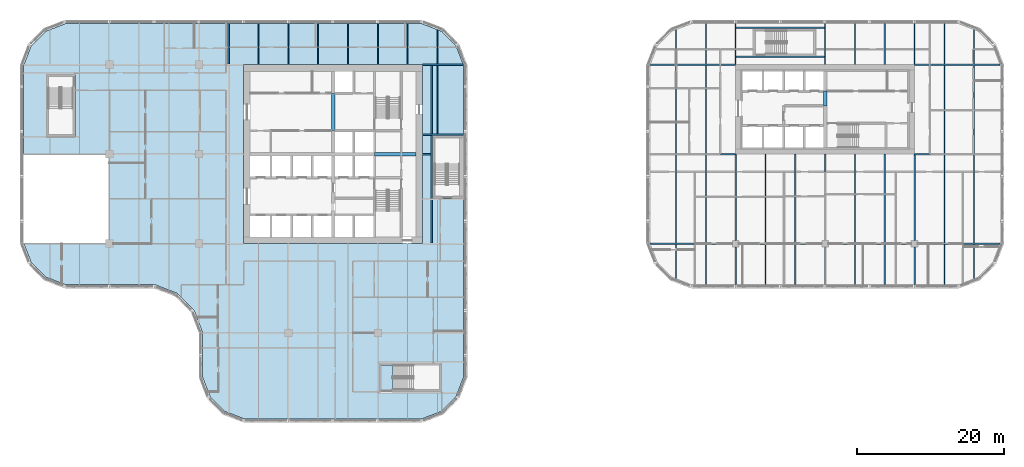
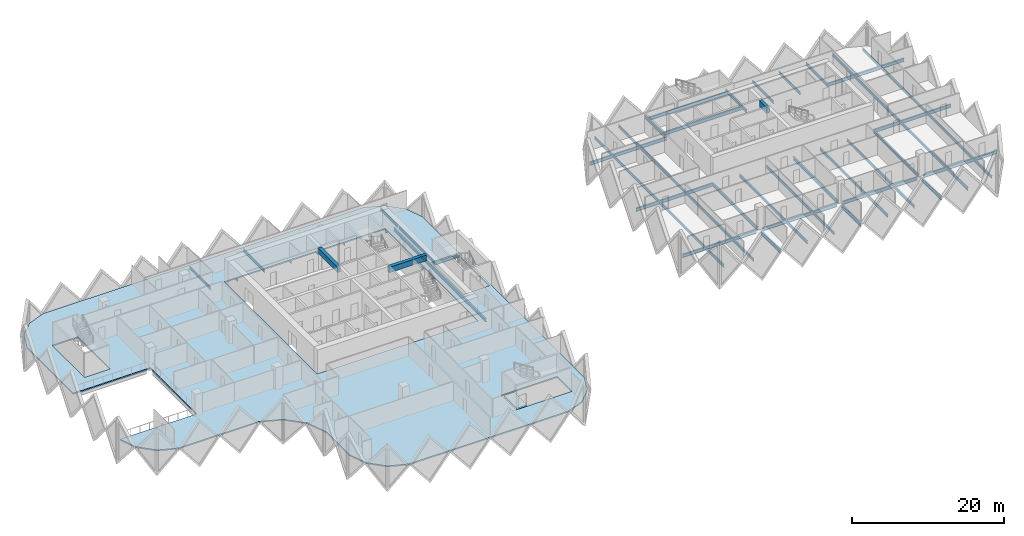
# One storey, part 2 of 19: 61 beams, 2 slabs.
"""IFC4 building model written with IfcOpenShell, lengths in metres."""

from ifc_helpers import new_model, si_unit, direction, frame, origin, origin_2d, place, context, subcontext, project, spatial, polyline, rectangle, i_section, outline, extrude, material, layer, layer_set, material_profile, profile_set, type_object, element, save


model = new_model("IFC4")

# Units and contexts
model_context = context("Model", 3, precision=1e-05, world=origin(), true_north=direction((0.0, 1.0)))
body_context = subcontext(model_context, "Body", "Model", "MODEL_VIEW")
ifc_project = project(units=[si_unit("LENGTHUNIT", "METRE"), si_unit("AREAUNIT", "SQUARE_METRE"), si_unit("VOLUMEUNIT", "CUBIC_METRE"), si_unit("PLANEANGLEUNIT", "RADIAN"), si_unit("MASSUNIT", "GRAM", prefix="KILO")], contexts=[model_context])

# Site, building, storey
site_placement = place(None, origin())
site = spatial("IfcSite", under=ifc_project, at=site_placement, CompositionType="ELEMENT")
building_placement = place(site_placement, origin())
building = spatial("IfcBuilding", under=site, at=building_placement, Name="Tessera Gate Towers", CompositionType="ELEMENT")
storey_placement = place(building_placement, frame((0.0, 0.0, 29.60009765625)))
storey = spatial("IfcBuildingStorey", under=building, at=storey_placement, Name="L06", CompositionType="ELEMENT", Elevation=29.60009765625)

# Beams
ifc_material_1 = material(Name="Concrete C60/75", Category="concrete")
ifc_material_profile_1 = material_profile(ifc_material_1, rectangle(XDim=0.5, YDim=0.89990234375, at=origin_2d()), Name="RC 500x900")
ifc_profile_set_1 = profile_set([ifc_material_profile_1], Name="Concrete C60/75")
beam_type_1 = type_object("IfcBeamType", Name="COUPLING BEAM 500x900 C60/75", PredefinedType="BEAM", material=ifc_profile_set_1)
beam_1_placement = place(storey_placement, frame((109.800048828125, 43.199951171875, 3.14990234375), z_axis=(0.0, 1.0, 0.0), x_axis=(-1.0, 0.0, 0.0)))
element("IfcBeam", 1, at=beam_1_placement, inside=storey, type_object=beam_type_1, Name="L06 coupling beam 1", PredefinedType="BEAM", context=body_context, shape_type="SweptSolid", body=[
    extrude(rectangle(XDim=0.5, YDim=0.89990234375, at=origin_2d()), origin(), (0.0, 0.0, 1.0), 2.0),
])
ifc_material_2 = material(Name="Concrete C70/85", Category="concrete")
ifc_material_profile_2 = material_profile(ifc_material_2, rectangle(XDim=0.5, YDim=0.89990234375, at=origin_2d()), Name="RC 500x900")
ifc_profile_set_2 = profile_set([ifc_material_profile_2], Name="Concrete C70/85")
beam_type_2 = type_object("IfcBeamType", Name="COUPLING BEAM 500x900 C70/85", PredefinedType="BEAM", material=ifc_profile_set_2)
beam_2_placement = place(storey_placement, frame((48.35009765625, 36.60009765625, 3.14990234375), z_axis=(1.0, 0.0, 0.0), x_axis=(0.0, 1.0, 0.0)))
element("IfcBeam", 2, at=beam_2_placement, inside=storey, type_object=beam_type_2, Name="L06 coupling beam 1", PredefinedType="BEAM", context=body_context, shape_type="SweptSolid", body=[
    extrude(rectangle(XDim=0.5, YDim=0.89990234375, at=origin_2d()), origin(), (0.0, 0.0, 1.0), 5.64990234375),
])
beam_3_placement = place(storey_placement, frame((42.699951171875, 39.800048828125, 3.14990234375), z_axis=(0.0, 1.0, 0.0), x_axis=(-1.0, 0.0, 0.0)))
element("IfcBeam", 3, at=beam_3_placement, inside=storey, type_object=beam_type_2, Name="L06 coupling beam 2", PredefinedType="BEAM", context=body_context, shape_type="SweptSolid", body=[
    extrude(rectangle(XDim=0.5, YDim=0.89990234375, at=origin_2d()), origin(), (0.0, 0.0, 1.0), 5.099853515625),
])
ifc_material_3 = material(Name="Steel 350W", Category="steel")
ifc_material_profile_3 = material_profile(ifc_material_3, i_section(OverallWidth=0.208984375, OverallDepth=0.532958984375, WebThickness=0.01025390625, FlangeThickness=0.015625, at=origin_2d()), Name="W530x92")
ifc_profile_set_3 = profile_set([ifc_material_profile_3], Name="Steel 350W")
beam_type_3 = type_object("IfcBeamType", Name="FLOOR GIRDER W530x92", PredefinedType="BEAM", material=ifc_profile_set_3)
beam_4_placement = place(storey_placement, frame((54.89892578125, 36.60009765625, -0.466552734375), z_axis=(1.0, 0.0, 0.0), x_axis=(0.0, 1.0, 0.0)))
element("IfcBeam", 4, at=beam_4_placement, inside=storey, type_object=beam_type_3, Name="T1-GD-L06-1048", PredefinedType="BEAM", context=body_context, shape_type="SweptSolid", body=[
    extrude(i_section(OverallWidth=0.208984375, OverallDepth=0.532958984375, WebThickness=0.01025390625, FlangeThickness=0.015625, at=origin_2d()), origin(), (0.0, 0.0, 1.0), 1.176513671875),
])
beam_5_placement = place(storey_placement, frame((54.90087890625, 48.800048828125, -0.466552734375), z_axis=(1.0, 0.0, 0.0), x_axis=(0.0, 1.0, 0.0)))
element("IfcBeam", 5, at=beam_5_placement, inside=storey, type_object=beam_type_3, Name="T1-GD-L06-1052", PredefinedType="BEAM", context=body_context, shape_type="SweptSolid", body=[
    extrude(i_section(OverallWidth=0.208984375, OverallDepth=0.532958984375, WebThickness=0.01025390625, FlangeThickness=0.015625, at=origin_2d()), origin(), (0.0, 0.0, 1.0), 5.564208984375),
])
beam_6_placement = place(storey_placement, frame((54.89892578125, 39.219970703125, -0.466552734375), z_axis=(1.0, 0.0, 0.0), x_axis=(0.0, 1.0, 0.0)))
element("IfcBeam", 6, at=beam_6_placement, inside=storey, type_object=beam_type_3, Name="T1-GD-L06-1070", PredefinedType="BEAM", context=body_context, shape_type="SweptSolid", body=[
    extrude(i_section(OverallWidth=0.208984375, OverallDepth=0.532958984375, WebThickness=0.01025390625, FlangeThickness=0.015625, at=origin_2d()), origin(), (0.0, 0.0, 1.0), 5.60205078125),
])
beam_7_placement = place(storey_placement, frame((56.179931640625, 24.50439453125, -0.466552734375), z_axis=(0.0, 1.0, 0.0), x_axis=(-1.0, 0.0, 0.0)))
element("IfcBeam", 7, at=beam_7_placement, inside=storey, type_object=beam_type_3, Name="T1-GD-L06-1071", PredefinedType="BEAM", context=body_context, shape_type="SweptSolid", body=[
    extrude(i_section(OverallWidth=0.208984375, OverallDepth=0.532958984375, WebThickness=0.01025390625, FlangeThickness=0.015625, at=origin_2d()), origin(), (0.0, 0.0, 1.0), 24.191162109375),
])
beam_8_placement = place(storey_placement, frame((85.934814453125, 24.39990234375, -0.466552734375), z_axis=(1.0, 0.0, 0.0), x_axis=(0.0, 1.0, 0.0)))
element("IfcBeam", 8, at=beam_8_placement, inside=storey, type_object=beam_type_3, Name="T2-GD-L06-1112", PredefinedType="BEAM", context=body_context, shape_type="SweptSolid", body=[
    extrude(i_section(OverallWidth=0.208984375, OverallDepth=0.532958984375, WebThickness=0.01025390625, FlangeThickness=0.015625, at=origin_2d()), origin(), (0.0, 0.0, 1.0), 11.215087890625),
])
for number, where, z_axis, x_axis, name in (
    (9, (98.050048828125, 24.39990234375, -0.466552734375), (1.0, 0.0, 0.0), (0.0, 1.0, 0.0), "T2-GD-L06-1113"),
    (10, (110.25, 24.39990234375, -0.466552734375), (1.0, 0.0, 0.0), (0.0, 1.0, 0.0), "T2-GD-L06-1114"),
):
    element("IfcBeam", number, at=place(storey_placement, frame(where, z_axis=z_axis, x_axis=x_axis)), inside=storey, type_object=beam_type_3, Name=name, PredefinedType="BEAM", context=body_context, shape_type="SweptSolid", body=[
        extrude(i_section(OverallWidth=0.208984375, OverallDepth=0.532958984375, WebThickness=0.01025390625, FlangeThickness=0.015625, at=origin_2d()), origin(), (0.0, 0.0, 1.0), 11.300048828125),
    ])
beam_9_placement = place(storey_placement, frame((122.449951171875, 24.39990234375, -0.466552734375), z_axis=(1.0, 0.0, 0.0), x_axis=(0.0, 1.0, 0.0)))
element("IfcBeam", 11, at=beam_9_placement, inside=storey, type_object=beam_type_3, Name="T2-GD-L06-1115", PredefinedType="BEAM", context=body_context, shape_type="SweptSolid", body=[
    extrude(i_section(OverallWidth=0.208984375, OverallDepth=0.532958984375, WebThickness=0.01025390625, FlangeThickness=0.015625, at=origin_2d()), origin(), (0.0, 0.0, 1.0), 11.21533203125),
])
beam_10_placement = place(storey_placement, frame((85.89892578125, 36.60009765625, -0.466552734375), z_axis=(1.0, 0.0, 0.0), x_axis=(0.0, 1.0, 0.0)))
element("IfcBeam", 12, at=beam_10_placement, inside=storey, type_object=beam_type_3, Name="T2-GD-L06-1116", PredefinedType="BEAM", context=body_context, shape_type="SweptSolid", body=[
    extrude(i_section(OverallWidth=0.208984375, OverallDepth=0.532958984375, WebThickness=0.01025390625, FlangeThickness=0.015625, at=origin_2d()), origin(), (0.0, 0.0, 1.0), 11.7001953125),
])
beam_11_placement = place(storey_placement, frame((122.0009765625, 36.60009765625, -0.466552734375), z_axis=(1.0, 0.0, 0.0), x_axis=(0.0, 1.0, 0.0)))
element("IfcBeam", 13, at=beam_11_placement, inside=storey, type_object=beam_type_3, Name="T2-GD-L06-1117", PredefinedType="BEAM", context=body_context, shape_type="SweptSolid", body=[
    extrude(i_section(OverallWidth=0.208984375, OverallDepth=0.532958984375, WebThickness=0.01025390625, FlangeThickness=0.015625, at=origin_2d()), origin(), (0.0, 0.0, 1.0), 11.699951171875),
])
for number, where, z_axis, x_axis, name in (
    (14, (85.934814453125, 48.800048828125, -0.466552734375), (1.0, 0.0, 0.0), (0.0, 1.0, 0.0), "T2-GD-L06-1118"),
    (15, (122.0009765625, 48.800048828125, -0.466552734375), (1.0, 0.0, 0.0), (0.0, 1.0, 0.0), "T2-GD-L06-1119"),
):
    element("IfcBeam", number, at=place(storey_placement, frame(where, z_axis=z_axis, x_axis=x_axis)), inside=storey, type_object=beam_type_3, Name=name, PredefinedType="BEAM", context=body_context, shape_type="SweptSolid", body=[
        extrude(i_section(OverallWidth=0.208984375, OverallDepth=0.532958984375, WebThickness=0.01025390625, FlangeThickness=0.015625, at=origin_2d()), origin(), (0.0, 0.0, 1.0), 11.664306640625),
    ])
beam_12_placement = place(storey_placement, frame((97.60009765625, 18.799072265625, -0.466552734375), z_axis=(0.0, 1.0, 0.0), x_axis=(-1.0, 0.0, 0.0)))
element("IfcBeam", 16, at=beam_12_placement, inside=storey, type_object=beam_type_3, Name="T2-GD-L06-1120", PredefinedType="BEAM", context=body_context, shape_type="SweptSolid", body=[
    extrude(i_section(OverallWidth=0.208984375, OverallDepth=0.532958984375, WebThickness=0.01025390625, FlangeThickness=0.015625, at=origin_2d()), origin(), (0.0, 0.0, 1.0), 5.15087890625),
])
beam_13_placement = place(storey_placement, frame((97.60009765625, 24.85009765625, -0.466552734375), z_axis=(0.0, 1.0, 0.0), x_axis=(-1.0, 0.0, 0.0)))
element("IfcBeam", 17, at=beam_13_placement, inside=storey, type_object=beam_type_3, Name="T2-GD-L06-1121", PredefinedType="BEAM", context=body_context, shape_type="SweptSolid", body=[
    extrude(i_section(OverallWidth=0.208984375, OverallDepth=0.532958984375, WebThickness=0.01025390625, FlangeThickness=0.015625, at=origin_2d()), origin(), (0.0, 0.0, 1.0), 11.75),
])
beam_14_placement = place(storey_placement, frame((109.800048828125, 18.799072265625, -0.466552734375), z_axis=(0.0, 1.0, 0.0), x_axis=(-1.0, 0.0, 0.0)))
element("IfcBeam", 18, at=beam_14_placement, inside=storey, type_object=beam_type_3, Name="T2-GD-L06-1122", PredefinedType="BEAM", context=body_context, shape_type="SweptSolid", body=[
    extrude(i_section(OverallWidth=0.208984375, OverallDepth=0.532958984375, WebThickness=0.01025390625, FlangeThickness=0.015625, at=origin_2d()), origin(), (0.0, 0.0, 1.0), 5.15087890625),
])
beam_15_placement = place(storey_placement, frame((109.800048828125, 24.85009765625, -0.466552734375), z_axis=(0.0, 1.0, 0.0), x_axis=(-1.0, 0.0, 0.0)))
element("IfcBeam", 19, at=beam_15_placement, inside=storey, type_object=beam_type_3, Name="T2-GD-L06-1123", PredefinedType="BEAM", context=body_context, shape_type="SweptSolid", body=[
    extrude(i_section(OverallWidth=0.208984375, OverallDepth=0.532958984375, WebThickness=0.01025390625, FlangeThickness=0.015625, at=origin_2d()), origin(), (0.0, 0.0, 1.0), 11.75),
])
beam_16_placement = place(storey_placement, frame((122.0, 18.799072265625, -0.466552734375), z_axis=(0.0, 1.0, 0.0), x_axis=(-1.0, 0.0, 0.0)))
element("IfcBeam", 20, at=beam_16_placement, inside=storey, type_object=beam_type_3, Name="T2-GD-L06-1124", PredefinedType="BEAM", context=body_context, shape_type="SweptSolid", body=[
    extrude(i_section(OverallWidth=0.208984375, OverallDepth=0.532958984375, WebThickness=0.01025390625, FlangeThickness=0.015625, at=origin_2d()), origin(), (0.0, 0.0, 1.0), 5.15087890625),
])
beam_17_placement = place(storey_placement, frame((122.0, 24.85009765625, -0.466552734375), z_axis=(0.0, 1.0, 0.0), x_axis=(-1.0, 0.0, 0.0)))
element("IfcBeam", 21, at=beam_17_placement, inside=storey, type_object=beam_type_3, Name="T2-GD-L06-1125", PredefinedType="BEAM", context=body_context, shape_type="SweptSolid", body=[
    extrude(i_section(OverallWidth=0.208984375, OverallDepth=0.532958984375, WebThickness=0.01025390625, FlangeThickness=0.015625, at=origin_2d()), origin(), (0.0, 0.0, 1.0), 11.75),
])
for number, where, z_axis, x_axis, name in (
    (22, (97.676513671875, 49.8798828125, -0.466552734375), (1.0, 0.0, 0.0), (0.0, 1.0, 0.0), "T2-GD-L06-1126"),
    (23, (97.676513671875, 53.820068359375, -0.466552734375), (1.0, 0.0, 0.0), (0.0, 1.0, 0.0), "T2-GD-L06-1127"),
):
    element("IfcBeam", number, at=place(storey_placement, frame(where, z_axis=z_axis, x_axis=x_axis)), inside=storey, type_object=beam_type_3, Name=name, PredefinedType="BEAM", context=body_context, shape_type="SweptSolid", body=[
        extrude(i_section(OverallWidth=0.208984375, OverallDepth=0.532958984375, WebThickness=0.01025390625, FlangeThickness=0.015625, at=origin_2d()), origin(), (0.0, 0.0, 1.0), 12.046875),
    ])
ifc_material_4 = material(Name="Steel 350W", Category="steel")
ifc_material_profile_4 = material_profile(ifc_material_4, i_section(OverallWidth=0.153076171875, OverallDepth=0.455078125, WebThickness=0.008056640625, FlangeThickness=0.01318359375, at=origin_2d()), Name="W460x60")
ifc_profile_set_4 = profile_set([ifc_material_profile_4], Name="Steel 350W")
beam_type_4 = type_object("IfcBeamType", Name="FLOOR SECONDARY W460x60", PredefinedType="BEAM", material=ifc_profile_set_4)
beam_18_placement = place(storey_placement, frame((28.466796875, 48.904541015625, -0.427490234375), z_axis=(0.0, 1.0, 0.0), x_axis=(-1.0, 0.0, 0.0)))
element("IfcBeam", 24, at=beam_18_placement, inside=storey, type_object=beam_type_4, Name="T1-BM-L06-1090", PredefinedType="BEAM", context=body_context, shape_type="SweptSolid", body=[
    extrude(i_section(OverallWidth=0.153076171875, OverallDepth=0.455078125, WebThickness=0.008056640625, FlangeThickness=0.01318359375, at=origin_2d()), origin(), (0.0, 0.0, 1.0), 5.495361328125),
])
for number, where, z_axis, x_axis, name in (
    (25, (32.533203125, 48.800048828125, -0.427490234375), (0.0, 1.0, 0.0), (-1.0, 0.0, 0.0), "T1-BM-L06-1093"),
    (26, (36.60009765625, 48.800048828125, -0.427490234375), (0.0, 1.0, 0.0), (-1.0, 0.0, 0.0), "T1-BM-L06-1094"),
    (27, (40.666748046875, 48.800048828125, -0.427490234375), (0.0, 1.0, 0.0), (-1.0, 0.0, 0.0), "T1-BM-L06-1097"),
    (28, (44.7333984375, 48.800048828125, -0.427490234375), (0.0, 1.0, 0.0), (-1.0, 0.0, 0.0), "T1-BM-L06-1100"),
    (29, (48.800048828125, 48.800048828125, -0.427490234375), (0.0, 1.0, 0.0), (-1.0, 0.0, 0.0), "T1-BM-L06-1101"),
    (30, (52.86669921875, 48.800048828125, -0.427490234375), (0.0, 1.0, 0.0), (-1.0, 0.0, 0.0), "T1-BM-L06-1105"),
):
    element("IfcBeam", number, at=place(storey_placement, frame(where, z_axis=z_axis, x_axis=x_axis)), inside=storey, type_object=beam_type_4, Name=name, PredefinedType="BEAM", context=body_context, shape_type="SweptSolid", body=[
        extrude(i_section(OverallWidth=0.153076171875, OverallDepth=0.455078125, WebThickness=0.008056640625, FlangeThickness=0.01318359375, at=origin_2d()), origin(), (0.0, 0.0, 1.0), 5.599853515625),
    ])
beam_19_placement = place(storey_placement, frame((56.933349609375, 39.324462890625, -0.427490234375), z_axis=(0.0, 1.0, 0.0), x_axis=(-1.0, 0.0, 0.0)))
element("IfcBeam", 31, at=beam_19_placement, inside=storey, type_object=beam_type_4, Name="T1-BM-L06-1110", PredefinedType="BEAM", context=body_context, shape_type="SweptSolid", body=[
    extrude(i_section(OverallWidth=0.153076171875, OverallDepth=0.455078125, WebThickness=0.008056640625, FlangeThickness=0.01318359375, at=origin_2d()), origin(), (0.0, 0.0, 1.0), 9.37109375),
])
for number, where, z_axis, x_axis, name in (
    (32, (56.933349609375, 48.904541015625, -0.427490234375), (0.0, 1.0, 0.0), (-1.0, 0.0, 0.0), "T1-BM-L06-1111"),
    (33, (89.466796875, 19.620361328125, -0.427490234375), (0.0, 1.0, 0.0), (-1.0, 0.0, 0.0), "T2-BM-L06-1128"),
):
    element("IfcBeam", number, at=place(storey_placement, frame(where, z_axis=z_axis, x_axis=x_axis)), inside=storey, type_object=beam_type_4, Name=name, PredefinedType="BEAM", context=body_context, shape_type="SweptSolid", body=[
        extrude(i_section(OverallWidth=0.153076171875, OverallDepth=0.455078125, WebThickness=0.008056640625, FlangeThickness=0.01318359375, at=origin_2d()), origin(), (0.0, 0.0, 1.0), 4.675048828125),
    ])
beam_20_placement = place(storey_placement, frame((89.466796875, 24.50439453125, -0.427490234375), z_axis=(0.0, 1.0, 0.0), x_axis=(-1.0, 0.0, 0.0)))
element("IfcBeam", 34, at=beam_20_placement, inside=storey, type_object=beam_type_4, Name="T2-BM-L06-1129", PredefinedType="BEAM", context=body_context, shape_type="SweptSolid", body=[
    extrude(i_section(OverallWidth=0.153076171875, OverallDepth=0.455078125, WebThickness=0.008056640625, FlangeThickness=0.01318359375, at=origin_2d()), origin(), (0.0, 0.0, 1.0), 11.9912109375),
])
beam_21_placement = place(storey_placement, frame((89.466796875, 36.70458984375, -0.427490234375), z_axis=(0.0, 1.0, 0.0), x_axis=(-1.0, 0.0, 0.0)))
element("IfcBeam", 35, at=beam_21_placement, inside=storey, type_object=beam_type_4, Name="T2-BM-L06-1130", PredefinedType="BEAM", context=body_context, shape_type="SweptSolid", body=[
    extrude(i_section(OverallWidth=0.153076171875, OverallDepth=0.455078125, WebThickness=0.008056640625, FlangeThickness=0.01318359375, at=origin_2d()), origin(), (0.0, 0.0, 1.0), 11.990966796875),
])
beam_22_placement = place(storey_placement, frame((89.466796875, 48.904541015625, -0.427490234375), z_axis=(0.0, 1.0, 0.0), x_axis=(-1.0, 0.0, 0.0)))
element("IfcBeam", 36, at=beam_22_placement, inside=storey, type_object=beam_type_4, Name="T2-BM-L06-1131", PredefinedType="BEAM", context=body_context, shape_type="SweptSolid", body=[
    extrude(i_section(OverallWidth=0.153076171875, OverallDepth=0.455078125, WebThickness=0.008056640625, FlangeThickness=0.01318359375, at=origin_2d()), origin(), (0.0, 0.0, 1.0), 4.675048828125),
])
beam_23_placement = place(storey_placement, frame((93.533203125, 18.800048828125, -0.427490234375), z_axis=(0.0, 1.0, 0.0), x_axis=(-1.0, 0.0, 0.0)))
element("IfcBeam", 37, at=beam_23_placement, inside=storey, type_object=beam_type_4, Name="T2-BM-L06-1132", PredefinedType="BEAM", context=body_context, shape_type="SweptSolid", body=[
    extrude(i_section(OverallWidth=0.153076171875, OverallDepth=0.455078125, WebThickness=0.008056640625, FlangeThickness=0.01318359375, at=origin_2d()), origin(), (0.0, 0.0, 1.0), 5.495361328125),
])
beam_24_placement = place(storey_placement, frame((93.533203125, 24.50439453125, -0.427490234375), z_axis=(0.0, 1.0, 0.0), x_axis=(-1.0, 0.0, 0.0)))
element("IfcBeam", 38, at=beam_24_placement, inside=storey, type_object=beam_type_4, Name="T2-BM-L06-1133", PredefinedType="BEAM", context=body_context, shape_type="SweptSolid", body=[
    extrude(i_section(OverallWidth=0.153076171875, OverallDepth=0.455078125, WebThickness=0.008056640625, FlangeThickness=0.01318359375, at=origin_2d()), origin(), (0.0, 0.0, 1.0), 11.9912109375),
])
beam_25_placement = place(storey_placement, frame((93.533203125, 36.70458984375, -0.427490234375), z_axis=(0.0, 1.0, 0.0), x_axis=(-1.0, 0.0, 0.0)))
element("IfcBeam", 39, at=beam_25_placement, inside=storey, type_object=beam_type_4, Name="T2-BM-L06-1134", PredefinedType="BEAM", context=body_context, shape_type="SweptSolid", body=[
    extrude(i_section(OverallWidth=0.153076171875, OverallDepth=0.455078125, WebThickness=0.008056640625, FlangeThickness=0.01318359375, at=origin_2d()), origin(), (0.0, 0.0, 1.0), 11.990966796875),
])
beam_26_placement = place(storey_placement, frame((93.533203125, 48.904541015625, -0.427490234375), z_axis=(0.0, 1.0, 0.0), x_axis=(-1.0, 0.0, 0.0)))
element("IfcBeam", 40, at=beam_26_placement, inside=storey, type_object=beam_type_4, Name="T2-BM-L06-1135", PredefinedType="BEAM", context=body_context, shape_type="SweptSolid", body=[
    extrude(i_section(OverallWidth=0.153076171875, OverallDepth=0.455078125, WebThickness=0.008056640625, FlangeThickness=0.01318359375, at=origin_2d()), origin(), (0.0, 0.0, 1.0), 5.495361328125),
])
beam_27_placement = place(storey_placement, frame((97.60009765625, 48.800048828125, -0.427490234375), z_axis=(0.0, 1.0, 0.0), x_axis=(-1.0, 0.0, 0.0)))
element("IfcBeam", 41, at=beam_27_placement, inside=storey, type_object=beam_type_4, Name="T2-BM-L06-1136", PredefinedType="BEAM", context=body_context, shape_type="SweptSolid", body=[
    extrude(i_section(OverallWidth=0.153076171875, OverallDepth=0.455078125, WebThickness=0.008056640625, FlangeThickness=0.01318359375, at=origin_2d()), origin(), (0.0, 0.0, 1.0), 5.599853515625),
])
beam_28_placement = place(storey_placement, frame((101.666748046875, 18.800048828125, -0.427490234375), z_axis=(0.0, 1.0, 0.0), x_axis=(-1.0, 0.0, 0.0)))
element("IfcBeam", 42, at=beam_28_placement, inside=storey, type_object=beam_type_4, Name="T2-BM-L06-1137", PredefinedType="BEAM", context=body_context, shape_type="SweptSolid", body=[
    extrude(i_section(OverallWidth=0.153076171875, OverallDepth=0.455078125, WebThickness=0.008056640625, FlangeThickness=0.01318359375, at=origin_2d()), origin(), (0.0, 0.0, 1.0), 5.495361328125),
])
beam_29_placement = place(storey_placement, frame((101.666748046875, 24.50439453125, -0.427490234375), z_axis=(0.0, 1.0, 0.0), x_axis=(-1.0, 0.0, 0.0)))
element("IfcBeam", 43, at=beam_29_placement, inside=storey, type_object=beam_type_4, Name="T2-BM-L06-1138", PredefinedType="BEAM", context=body_context, shape_type="SweptSolid", body=[
    extrude(i_section(OverallWidth=0.153076171875, OverallDepth=0.455078125, WebThickness=0.008056640625, FlangeThickness=0.01318359375, at=origin_2d()), origin(), (0.0, 0.0, 1.0), 12.095703125),
])
beam_30_placement = place(storey_placement, frame((105.7333984375, 18.800048828125, -0.427490234375), z_axis=(0.0, 1.0, 0.0), x_axis=(-1.0, 0.0, 0.0)))
element("IfcBeam", 44, at=beam_30_placement, inside=storey, type_object=beam_type_4, Name="T2-BM-L06-1139", PredefinedType="BEAM", context=body_context, shape_type="SweptSolid", body=[
    extrude(i_section(OverallWidth=0.153076171875, OverallDepth=0.455078125, WebThickness=0.008056640625, FlangeThickness=0.01318359375, at=origin_2d()), origin(), (0.0, 0.0, 1.0), 5.495361328125),
])
beam_31_placement = place(storey_placement, frame((105.7333984375, 24.50439453125, -0.427490234375), z_axis=(0.0, 1.0, 0.0), x_axis=(-1.0, 0.0, 0.0)))
element("IfcBeam", 45, at=beam_31_placement, inside=storey, type_object=beam_type_4, Name="T2-BM-L06-1140", PredefinedType="BEAM", context=body_context, shape_type="SweptSolid", body=[
    extrude(i_section(OverallWidth=0.153076171875, OverallDepth=0.455078125, WebThickness=0.008056640625, FlangeThickness=0.01318359375, at=origin_2d()), origin(), (0.0, 0.0, 1.0), 12.095703125),
])
beam_32_placement = place(storey_placement, frame((109.800048828125, 48.800048828125, -0.427490234375), z_axis=(0.0, 1.0, 0.0), x_axis=(-1.0, 0.0, 0.0)))
element("IfcBeam", 46, at=beam_32_placement, inside=storey, type_object=beam_type_4, Name="T2-BM-L06-1141", PredefinedType="BEAM", context=body_context, shape_type="SweptSolid", body=[
    extrude(i_section(OverallWidth=0.153076171875, OverallDepth=0.455078125, WebThickness=0.008056640625, FlangeThickness=0.01318359375, at=origin_2d()), origin(), (0.0, 0.0, 1.0), 5.599853515625),
])
beam_33_placement = place(storey_placement, frame((113.86669921875, 18.800048828125, -0.427490234375), z_axis=(0.0, 1.0, 0.0), x_axis=(-1.0, 0.0, 0.0)))
element("IfcBeam", 47, at=beam_33_placement, inside=storey, type_object=beam_type_4, Name="T2-BM-L06-1142", PredefinedType="BEAM", context=body_context, shape_type="SweptSolid", body=[
    extrude(i_section(OverallWidth=0.153076171875, OverallDepth=0.455078125, WebThickness=0.008056640625, FlangeThickness=0.01318359375, at=origin_2d()), origin(), (0.0, 0.0, 1.0), 5.495361328125),
])
beam_34_placement = place(storey_placement, frame((113.86669921875, 24.50439453125, -0.427490234375), z_axis=(0.0, 1.0, 0.0), x_axis=(-1.0, 0.0, 0.0)))
element("IfcBeam", 48, at=beam_34_placement, inside=storey, type_object=beam_type_4, Name="T2-BM-L06-1143", PredefinedType="BEAM", context=body_context, shape_type="SweptSolid", body=[
    extrude(i_section(OverallWidth=0.153076171875, OverallDepth=0.455078125, WebThickness=0.008056640625, FlangeThickness=0.01318359375, at=origin_2d()), origin(), (0.0, 0.0, 1.0), 12.095703125),
])
beam_35_placement = place(storey_placement, frame((113.86669921875, 48.800048828125, -0.427490234375), z_axis=(0.0, 1.0, 0.0), x_axis=(-1.0, 0.0, 0.0)))
element("IfcBeam", 49, at=beam_35_placement, inside=storey, type_object=beam_type_4, Name="T2-BM-L06-1144", PredefinedType="BEAM", context=body_context, shape_type="SweptSolid", body=[
    extrude(i_section(OverallWidth=0.153076171875, OverallDepth=0.455078125, WebThickness=0.008056640625, FlangeThickness=0.01318359375, at=origin_2d()), origin(), (0.0, 0.0, 1.0), 5.599853515625),
])
beam_36_placement = place(storey_placement, frame((117.933349609375, 18.800048828125, -0.427490234375), z_axis=(0.0, 1.0, 0.0), x_axis=(-1.0, 0.0, 0.0)))
element("IfcBeam", 50, at=beam_36_placement, inside=storey, type_object=beam_type_4, Name="T2-BM-L06-1145", PredefinedType="BEAM", context=body_context, shape_type="SweptSolid", body=[
    extrude(i_section(OverallWidth=0.153076171875, OverallDepth=0.455078125, WebThickness=0.008056640625, FlangeThickness=0.01318359375, at=origin_2d()), origin(), (0.0, 0.0, 1.0), 5.495361328125),
])
beam_37_placement = place(storey_placement, frame((117.933349609375, 24.50439453125, -0.427490234375), z_axis=(0.0, 1.0, 0.0), x_axis=(-1.0, 0.0, 0.0)))
element("IfcBeam", 51, at=beam_37_placement, inside=storey, type_object=beam_type_4, Name="T2-BM-L06-1146", PredefinedType="BEAM", context=body_context, shape_type="SweptSolid", body=[
    extrude(i_section(OverallWidth=0.153076171875, OverallDepth=0.455078125, WebThickness=0.008056640625, FlangeThickness=0.01318359375, at=origin_2d()), origin(), (0.0, 0.0, 1.0), 12.095703125),
])
for number, where, z_axis, x_axis, name in (
    (52, (117.933349609375, 48.800048828125, -0.427490234375), (0.0, 1.0, 0.0), (-1.0, 0.0, 0.0), "T2-BM-L06-1147"),
    (53, (122.0, 48.800048828125, -0.427490234375), (0.0, 1.0, 0.0), (-1.0, 0.0, 0.0), "T2-BM-L06-1148"),
):
    element("IfcBeam", number, at=place(storey_placement, frame(where, z_axis=z_axis, x_axis=x_axis)), inside=storey, type_object=beam_type_4, Name=name, PredefinedType="BEAM", context=body_context, shape_type="SweptSolid", body=[
        extrude(i_section(OverallWidth=0.153076171875, OverallDepth=0.455078125, WebThickness=0.008056640625, FlangeThickness=0.01318359375, at=origin_2d()), origin(), (0.0, 0.0, 1.0), 5.599853515625),
    ])
beam_38_placement = place(storey_placement, frame((126.066650390625, 18.800048828125, -0.427490234375), z_axis=(0.0, 1.0, 0.0), x_axis=(-1.0, 0.0, 0.0)))
element("IfcBeam", 54, at=beam_38_placement, inside=storey, type_object=beam_type_4, Name="T2-BM-L06-1149", PredefinedType="BEAM", context=body_context, shape_type="SweptSolid", body=[
    extrude(i_section(OverallWidth=0.153076171875, OverallDepth=0.455078125, WebThickness=0.008056640625, FlangeThickness=0.01318359375, at=origin_2d()), origin(), (0.0, 0.0, 1.0), 5.495361328125),
])
beam_39_placement = place(storey_placement, frame((126.066650390625, 24.50439453125, -0.427490234375), z_axis=(0.0, 1.0, 0.0), x_axis=(-1.0, 0.0, 0.0)))
element("IfcBeam", 55, at=beam_39_placement, inside=storey, type_object=beam_type_4, Name="T2-BM-L06-1150", PredefinedType="BEAM", context=body_context, shape_type="SweptSolid", body=[
    extrude(i_section(OverallWidth=0.153076171875, OverallDepth=0.455078125, WebThickness=0.008056640625, FlangeThickness=0.01318359375, at=origin_2d()), origin(), (0.0, 0.0, 1.0), 11.9912109375),
])
beam_40_placement = place(storey_placement, frame((126.066650390625, 36.70458984375, -0.427490234375), z_axis=(0.0, 1.0, 0.0), x_axis=(-1.0, 0.0, 0.0)))
element("IfcBeam", 56, at=beam_40_placement, inside=storey, type_object=beam_type_4, Name="T2-BM-L06-1151", PredefinedType="BEAM", context=body_context, shape_type="SweptSolid", body=[
    extrude(i_section(OverallWidth=0.153076171875, OverallDepth=0.455078125, WebThickness=0.008056640625, FlangeThickness=0.01318359375, at=origin_2d()), origin(), (0.0, 0.0, 1.0), 11.990966796875),
])
beam_41_placement = place(storey_placement, frame((126.066650390625, 48.904541015625, -0.427490234375), z_axis=(0.0, 1.0, 0.0), x_axis=(-1.0, 0.0, 0.0)))
element("IfcBeam", 57, at=beam_41_placement, inside=storey, type_object=beam_type_4, Name="T2-BM-L06-1152", PredefinedType="BEAM", context=body_context, shape_type="SweptSolid", body=[
    extrude(i_section(OverallWidth=0.153076171875, OverallDepth=0.455078125, WebThickness=0.008056640625, FlangeThickness=0.01318359375, at=origin_2d()), origin(), (0.0, 0.0, 1.0), 5.495361328125),
])
beam_42_placement = place(storey_placement, frame((130.13330078125, 19.620361328125, -0.427490234375), z_axis=(0.0, 1.0, 0.0), x_axis=(-1.0, 0.0, 0.0)))
element("IfcBeam", 58, at=beam_42_placement, inside=storey, type_object=beam_type_4, Name="T2-BM-L06-1153", PredefinedType="BEAM", context=body_context, shape_type="SweptSolid", body=[
    extrude(i_section(OverallWidth=0.153076171875, OverallDepth=0.455078125, WebThickness=0.008056640625, FlangeThickness=0.01318359375, at=origin_2d()), origin(), (0.0, 0.0, 1.0), 4.675048828125),
])
beam_43_placement = place(storey_placement, frame((130.13330078125, 24.50439453125, -0.427490234375), z_axis=(0.0, 1.0, 0.0), x_axis=(-1.0, 0.0, 0.0)))
element("IfcBeam", 59, at=beam_43_placement, inside=storey, type_object=beam_type_4, Name="T2-BM-L06-1154", PredefinedType="BEAM", context=body_context, shape_type="SweptSolid", body=[
    extrude(i_section(OverallWidth=0.153076171875, OverallDepth=0.455078125, WebThickness=0.008056640625, FlangeThickness=0.01318359375, at=origin_2d()), origin(), (0.0, 0.0, 1.0), 11.9912109375),
])
beam_44_placement = place(storey_placement, frame((130.13330078125, 36.70458984375, -0.427490234375), z_axis=(0.0, 1.0, 0.0), x_axis=(-1.0, 0.0, 0.0)))
element("IfcBeam", 60, at=beam_44_placement, inside=storey, type_object=beam_type_4, Name="T2-BM-L06-1155", PredefinedType="BEAM", context=body_context, shape_type="SweptSolid", body=[
    extrude(i_section(OverallWidth=0.153076171875, OverallDepth=0.455078125, WebThickness=0.008056640625, FlangeThickness=0.01318359375, at=origin_2d()), origin(), (0.0, 0.0, 1.0), 11.990966796875),
])
beam_45_placement = place(storey_placement, frame((130.13330078125, 48.904541015625, -0.427490234375), z_axis=(0.0, 1.0, 0.0), x_axis=(-1.0, 0.0, 0.0)))
element("IfcBeam", 61, at=beam_45_placement, inside=storey, type_object=beam_type_4, Name="T2-BM-L06-1156", PredefinedType="BEAM", context=body_context, shape_type="SweptSolid", body=[
    extrude(i_section(OverallWidth=0.153076171875, OverallDepth=0.455078125, WebThickness=0.008056640625, FlangeThickness=0.01318359375, at=origin_2d()), origin(), (0.0, 0.0, 1.0), 4.675048828125),
])

# Slabs
ifc_material_5 = material(Name="Concrete C35/45", Category="concrete")
ifc_layer_1 = layer(ifc_material_5, 0.199951171875)
ifc_layer_set_1 = layer_set([ifc_layer_1], Name="COMPOSITE FLOOR 200")
slab_type_1 = type_object("IfcSlabType", Name="COMPOSITE FLOOR 200", PredefinedType="FLOOR", material=ifc_layer_set_1)
slab_1_placement = place(storey_placement, frame((0.0, 0.0, -0.2001953125)))
element("IfcSlab", 62, at=slab_1_placement, inside=storey, type_object=slab_type_1, Name="T1-L06", PredefinedType="FLOOR", context=body_context, shape_type="SweptSolid", body=[
    extrude(outline(polyline([(0.5, 36.60009765625), (12.199951171875, 36.60009765625), (12.199951171875, 24.39990234375), (0.535888671875, 24.39990234375), (1.526123046875, 21.8330078125), (3.533203125, 19.826171875), (6.193115234375, 18.800048828125), (18.39306640625, 18.800048828125), (21.42431640625, 17.630615234375), (23.730712890625, 15.32421875), (24.89990234375, 12.293212890625), (24.89990234375, 6.193115234375), (25.926025390625, 3.533203125), (27.93310546875, 1.526123046875), (30.593017578125, 0.5), (54.806884765625, 0.5), (57.466796875, 1.526123046875), (59.473876953125, 3.533203125), (60.5, 6.193115234375), (60.5, 48.706787109375), (59.473876953125, 51.366943359375), (57.466796875, 53.373779296875), (54.806884765625, 54.39990234375), (6.193115234375, 54.39990234375), (3.533203125, 53.373779296875), (1.526123046875, 51.366943359375), (0.5, 48.706787109375), (0.5, 36.60009765625)]), holes=[polyline([(3.60009765625, 39.0), (3.60009765625, 47.5), (7.5, 47.5), (7.5, 39.0), (3.60009765625, 39.0)]), polyline([(30.5, 24.39990234375), (30.5, 48.800048828125), (54.89990234375, 48.800048828125), (54.89990234375, 24.39990234375), (30.5, 24.39990234375)]), polyline([(49.0, 4.199951171875), (49.0, 8.10009765625), (57.5, 8.10009765625), (57.5, 4.199951171875), (49.0, 4.199951171875)]), polyline([(56.300048828125, 30.60009765625), (56.300048828125, 39.10009765625), (60.199951171875, 39.10009765625), (60.199951171875, 30.60009765625), (56.300048828125, 30.60009765625)])]), origin(), (0.0, 0.0, 1.0), 0.2001953125),
])
ifc_material_6 = material(Name="Concrete C35/45", Category="concrete")
ifc_layer_2 = layer(ifc_material_6, 0.199951171875)
ifc_layer_set_2 = layer_set([ifc_layer_2], Name="CORE FLOOR SLAB 200")
slab_type_2 = type_object("IfcSlabType", Name="CORE FLOOR SLAB 200", PredefinedType="FLOOR", material=ifc_layer_set_2)
slab_2_placement = place(storey_placement, frame((0.0, 0.0, -0.2001953125)))
element("IfcSlab", 63, at=slab_2_placement, inside=storey, type_object=slab_type_2, Name="L06 ST4 floor landing", PredefinedType="FLOOR", context=body_context, shape_type="SweptSolid", body=[
    extrude(outline(polyline([(49.25, 4.449951171875), (50.85009765625, 4.449951171875), (50.85009765625, 7.85009765625), (49.25, 7.85009765625), (49.25, 4.449951171875)])), origin(), (0.0, 0.0, 1.0), 0.2001953125),
])

save(model, "model.ifc")
